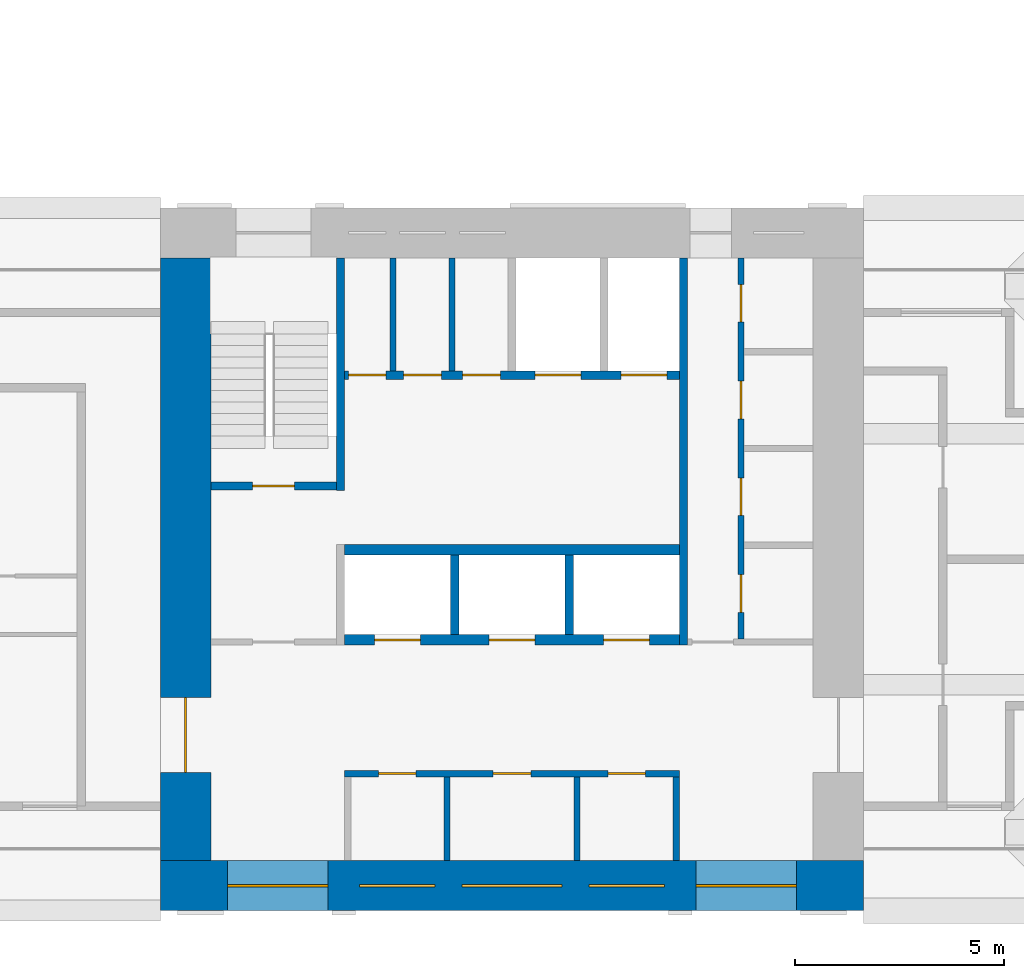
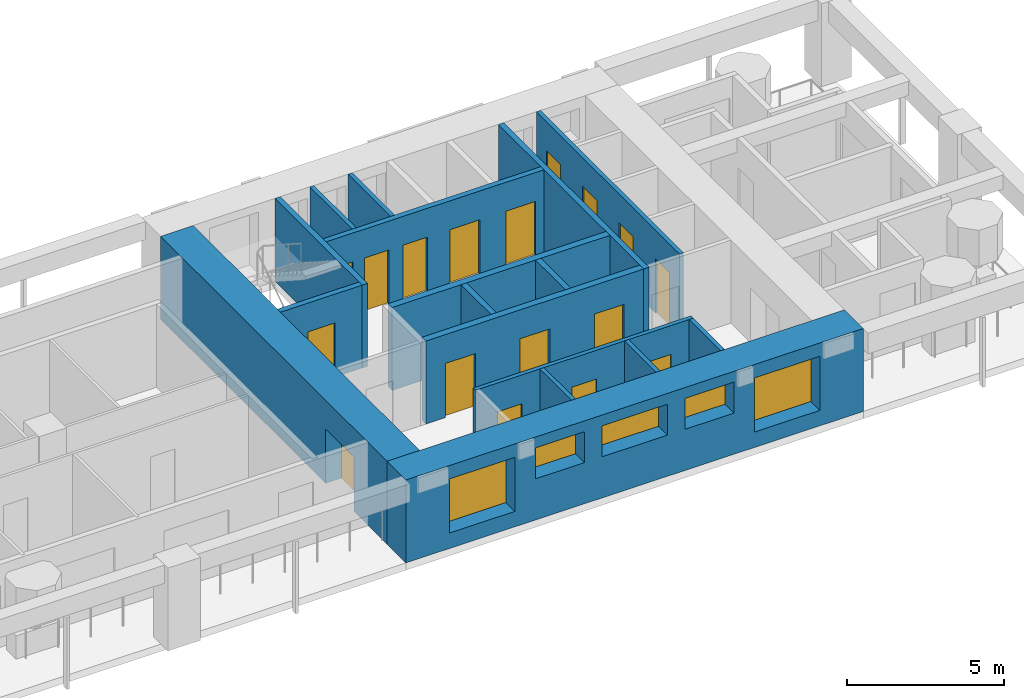
# One storey, part 4 of 13: 17 doors, 17 walls, 5 windows, 22 openings.
"""IFC4 building model written with IfcOpenShell, lengths in metres."""

import ifcopenshell
import ifcopenshell.guid

model = None  # the IFC model being written
_history = None  # IfcOwnerHistory: only IFC2X3 demands one
_inside = {}  # id of a spatial element -> (the spatial element, [elements in it])
_under = {}  # id of a project, library or spatial element -> (it, [spatial elements below it])
_declared = {}  # id of a project -> (the project, [libraries it declares])
_typed = {}  # id of a type object -> (the type object, [elements of that type])
_made_of = {}  # id of a material, layer set ... -> (it, [elements and type objects made of it])


def new_model(schema):
    """Start an empty IFC model of exactly this schema.

    Asked for "IFC4X3", IfcOpenShell would pick the latest addendum, in which some entities
    have other attributes; the version numbers below select the first issue.
    IFC2X3 requires an IfcOwnerHistory on every rooted entity: one is made here for all.
    """
    global model, _history
    if schema == "IFC4X3":
        model = ifcopenshell.file(schema_version=(4, 3, 0, 0))
    else:
        model = ifcopenshell.file(schema=schema)
    _inside.clear()
    _under.clear()
    _declared.clear()
    _typed.clear()
    _made_of.clear()
    _history = None
    if model.schema == "IFC2X3":
        org = make("IfcOrganization", Name="unknown")
        user = make(
            "IfcPersonAndOrganization",
            ThePerson=make("IfcPerson", FamilyName="unknown"),
            TheOrganization=org,
        )
        app = make(
            "IfcApplication",
            ApplicationDeveloper=org,
            Version="unknown",
            ApplicationFullName="unknown",
            ApplicationIdentifier="unknown",
        )
        _history = make(
            "IfcOwnerHistory",
            OwningUser=user,
            OwningApplication=app,
            ChangeAction="ADDED",
            CreationDate=0,
        )
    return model


def make(cls, **values):
    """One entity of the class cls with the attributes given. An attribute that is None is left unset."""
    return model.create_entity(
        cls, **{name: value for name, value in values.items() if value is not None}
    )


def rooted(cls, **values):
    """An entity with a GlobalId (a new one), such as an element, a storey or a relation."""
    return make(cls, GlobalId=ifcopenshell.guid.new(), OwnerHistory=_history, **values)


def si_unit(unit_type, name, prefix=None):
    """IfcSIUnit, for example si_unit("LENGTHUNIT", "METRE", prefix="MILLI")."""
    return make("IfcSIUnit", UnitType=unit_type, Prefix=prefix, Name=name)


def assignment(units):
    """IfcUnitAssignment: the units of a project."""
    return None if units is None else make("IfcUnitAssignment", Units=units)


def point(xyz):
    """IfcCartesianPoint."""
    return None if xyz is None else make("IfcCartesianPoint", Coordinates=xyz)


def direction(xyz):
    """IfcDirection."""
    return None if xyz is None else make("IfcDirection", DirectionRatios=xyz)


def frame(location, z_axis=None, x_axis=None):
    """IfcAxis2Placement3D, a coordinate frame: its origin and axes. An axis left out is left unset."""
    return make(
        "IfcAxis2Placement3D",
        Location=point(location),
        Axis=direction(z_axis),
        RefDirection=direction(x_axis),
    )


def frame_2d(location, x_axis=None):
    """IfcAxis2Placement2D, a coordinate frame in the plane: its origin and x axis."""
    return make(
        "IfcAxis2Placement2D", Location=point(location), RefDirection=direction(x_axis)
    )


def origin():
    """The frame at (0, 0, 0) with its axes left unset."""
    return frame((0.0, 0.0, 0.0))


def place(relative_to, where):
    """IfcLocalPlacement: puts the frame where relative to a parent placement (None: the world)."""
    return make(
        "IfcLocalPlacement", PlacementRelTo=relative_to, RelativePlacement=where
    )


def context(
    kind, dimensions, precision=None, world=None, true_north=None, identifier=None
):
    """IfcGeometricRepresentationContext, for example the 3D "Model" context."""
    return make(
        "IfcGeometricRepresentationContext",
        ContextIdentifier=identifier,
        ContextType=kind,
        CoordinateSpaceDimension=dimensions,
        Precision=precision,
        WorldCoordinateSystem=world,
        TrueNorth=true_north,
    )


def subcontext(parent, identifier, kind, view, scale=None):
    """IfcGeometricRepresentationSubContext, for example "Body" below "Model"."""
    return make(
        "IfcGeometricRepresentationSubContext",
        ContextIdentifier=identifier,
        ContextType=kind,
        ParentContext=parent,
        TargetScale=scale,
        TargetView=view,
    )


def project(units=None, contexts=None):
    """IfcProject with its units and contexts."""
    return rooted(
        "IfcProject",
        Name="project",
        RepresentationContexts=contexts,
        UnitsInContext=assignment(units),
    )


def spatial(cls, under=None, at=None, **own):
    """A site, building, storey or space (cls), placed at a placement, below another one or the project."""
    s = rooted(cls, ObjectPlacement=at, **own)
    if under is not None:
        _under.setdefault(under.id(), (under, []))[1].append(s)
    return s


def profile(cls, at=None, kind="AREA", **sizes):
    """A parametric profile (cls). Its sizes go by their IFC names, for example OverallWidth=200.0."""
    return make(cls, ProfileType=kind, Position=at, **sizes)


def rectangle(**sizes):
    """IfcRectangleProfileDef."""
    return profile("IfcRectangleProfileDef", **sizes)


def extrude(swept, where, along, depth):
    """IfcExtrudedAreaSolid: the profile swept, set in the frame where, extruded along a direction by depth."""
    return make(
        "IfcExtrudedAreaSolid",
        SweptArea=swept,
        Position=where,
        ExtrudedDirection=direction(along),
        Depth=depth,
    )


def shape(context_of_items, identifier, shape_type, items):
    """IfcShapeRepresentation: the items that make up one representation, for example the "Body"."""
    return make(
        "IfcShapeRepresentation",
        ContextOfItems=context_of_items,
        RepresentationIdentifier=identifier,
        RepresentationType=shape_type,
        Items=items,
    )


def material(Name=None, Category=None):
    """IfcMaterial."""
    return make("IfcMaterial", Name=Name, Category=Category)


def layer(
    of_material, thickness, ventilated=None, Name=None, Category=None, Priority=None
):
    """IfcMaterialLayer: one layer of a wall or slab, of a material (None: an air gap)."""
    return make(
        "IfcMaterialLayer",
        Material=of_material,
        LayerThickness=thickness,
        IsVentilated=ventilated,
        Name=Name,
        Category=Category,
        Priority=Priority,
    )


def layer_set(layers, Name=None):
    """IfcMaterialLayerSet."""
    return make("IfcMaterialLayerSet", MaterialLayers=layers, LayerSetName=Name)


def made_of(thing, what):
    """Note that an element or type object is made of a material, layer set ...; save() writes the relation."""
    if what is not None:
        _made_of.setdefault(what.id(), (what, []))[1].append(thing)
    return thing


def type_object(cls, material=None, **own):
    """A type object (cls), such as IfcWallType, which elements share."""
    return made_of(rooted(cls, **own), material)


def element(
    cls,
    number,
    at=None,
    inside=None,
    cuts=None,
    type_object=None,
    material=None,
    context=None,
    identifier="Body",
    shape_type=None,
    held_by="IfcProductDefinitionShape",
    body=None,
    shapes=None,
    **own,
):
    """One element of the class cls, such as IfcWall. Its Tag is "e" and its number.

    at: its placement. inside: the storey or other place that contains it. cuts: it is an
    opening in that element (IfcRelVoidsElement). A single representation is given by context,
    identifier, shape_type and body (its items); several are given by shapes. held_by: the class
    of the entity that holds the representations. save() writes the other relations.
    """
    e = rooted(cls, Tag="e%d" % number, ObjectPlacement=at, **own)
    if body is not None:
        shapes = [shape(context, identifier, shape_type, body)]
    if shapes is not None:
        e.Representation = make(held_by, Representations=shapes)
    if inside is not None:
        _inside.setdefault(inside.id(), (inside, []))[1].append(e)
    if cuts is not None:
        rooted(
            "IfcRelVoidsElement", RelatingBuildingElement=cuts, RelatedOpeningElement=e
        )
    if type_object is not None:
        _typed.setdefault(type_object.id(), (type_object, []))[1].append(e)
    return made_of(e, material)


def fill(opening, filler):
    """IfcRelFillsElement: the door or window that sits in an opening."""
    return rooted(
        "IfcRelFillsElement",
        RelatingOpeningElement=opening,
        RelatedBuildingElement=filler,
    )


def aggregate(whole, parts):
    """IfcRelAggregates: a whole, such as a stair, and the parts it consists of."""
    return rooted("IfcRelAggregates", RelatingObject=whole, RelatedObjects=parts)


def save(model, path):
    """Write the relations noted so far, then the file.

    IfcRelAggregates (storeys below a building ...), IfcRelContainedInSpatialStructure (elements
    in a storey), IfcRelDefinesByType, IfcRelAssociatesMaterial and IfcRelDeclares: one each for
    every whole, place, type object, material and project.
    """
    for whole, parts in _under.values():
        aggregate(whole, parts)
    for where, things in _inside.values():
        rooted(
            "IfcRelContainedInSpatialStructure",
            RelatedElements=things,
            RelatingStructure=where,
        )
    for kind, things in _typed.values():
        rooted("IfcRelDefinesByType", RelatedObjects=things, RelatingType=kind)
    for what, things in _made_of.values():
        rooted("IfcRelAssociatesMaterial", RelatedObjects=things, RelatingMaterial=what)
    for by, libraries in _declared.values():
        rooted("IfcRelDeclares", RelatingContext=by, RelatedDefinitions=libraries)
    model.write(path)


model = new_model("IFC4")

# Units and contexts
model_context = context("Model", 3, precision=1e-05, world=origin(), true_north=direction((0.0, 1.0)))
body_context = subcontext(model_context, "Body", "Model", "MODEL_VIEW")
ifc_project = project(units=[si_unit("LENGTHUNIT", "METRE"), si_unit("AREAUNIT", "SQUARE_METRE"), si_unit("VOLUMEUNIT", "CUBIC_METRE"), si_unit("PLANEANGLEUNIT", "RADIAN"), si_unit("MASSUNIT", "GRAM", prefix="KILO")], contexts=[model_context])

# Site, building, storey
site_placement = place(None, origin())
site = spatial("IfcSite", under=ifc_project, at=site_placement, CompositionType="ELEMENT")
building_placement = place(site_placement, origin())
building = spatial("IfcBuilding", under=site, at=building_placement, Name="Vermilion Gate Residences", CompositionType="ELEMENT")
storey_placement = place(building_placement, frame((0.0, 0.0, 158.199951171875)))
storey = spatial("IfcBuildingStorey", under=building, at=storey_placement, Name="L40", CompositionType="ELEMENT", Elevation=158.199951171875)

# Walls
ifc_material_1 = material(Name="Masonry blockwork", Category="masonry")
ifc_layer_1 = layer(ifc_material_1, 0.14990234375)
ifc_layer_set_1 = layer_set([ifc_layer_1], Name="BLOCKWORK PARTITION 150 EI 120")
wall_type_1 = type_object("IfcWallType", Name="BLOCKWORK PARTITION 150 EI 120", PredefinedType="PARTITIONING", material=ifc_layer_set_1)
for number, where, z_axis, x_axis, name in (
    (1, (54.324951171875, 9.60009765625, 0.0), (0.0, 0.0, 1.0), (0.0, 1.0, 0.0), "Core room partition A40-RW-E"),
    (2, (48.844970703125, 9.60009765625, 0.0), (0.0, 0.0, 1.0), (0.0, 1.0, 0.0), "Core room partition A40-SR-P0"),
    (3, (51.955078125, 9.60009765625, 0.0), (0.0, 0.0, 1.0), (0.0, 1.0, 0.0), "Core room partition A40-SR-P1"),
):
    element("IfcWall", number, at=place(storey_placement, frame(where, z_axis=z_axis, x_axis=x_axis)), inside=storey, type_object=wall_type_1, Name=name, PredefinedType="PARTITIONING", context=body_context, shape_type="SweptSolid", body=[
        extrude(rectangle(XDim=2.0, YDim=0.14990234375, at=frame_2d((1.0, 0.0))), origin(), (0.0, 0.0, 1.0), 3.219970703125),
    ])

# Wall, openings, doors
wall_1_placement = place(storey_placement, frame((46.39990234375, 11.675048828125, 0.0), z_axis=(0.0, 0.0, 1.0), x_axis=(1.0, 0.0, 0.0)))
wall_1 = element("IfcWall", 4, at=wall_1_placement, inside=storey, type_object=wall_type_1, Name="Core room partition A40-LR-F", PredefinedType="PARTITIONING", context=body_context, shape_type="SweptSolid", body=[
    extrude(rectangle(XDim=8.0, YDim=0.14990234375, at=frame_2d((4.0, 0.0))), origin(), (0.0, 0.0, 1.0), 3.219970703125),
])
opening_1_placement = place(wall_1_placement, frame((0.81005859375, 0.0, 0.0)))
opening_1 = element("IfcOpeningElement", 5, at=opening_1_placement, cuts=wall_1, Name="Opening DK40003", PredefinedType="OPENING", context=body_context, shape_type="SweptSolid", body=[
    extrude(rectangle(XDim=0.89990234375, YDim=2.10009765625, at=frame_2d((0.449951171875, 1.050048828125))), frame((0.0, 0.0849609375, 0.0), z_axis=(0.0, -1.0, 0.0), x_axis=(1.0, 0.0, 0.0)), (0.0, 0.0, 1.0), 0.169921875),
])
opening_2_placement = place(wall_1_placement, frame((3.550048828125, 0.0, 0.0)))
opening_2 = element("IfcOpeningElement", 6, at=opening_2_placement, cuts=wall_1, Name="Opening DK40004", PredefinedType="OPENING", context=body_context, shape_type="SweptSolid", body=[
    extrude(rectangle(XDim=0.89990234375, YDim=2.10009765625, at=frame_2d((0.449951171875, 1.050048828125))), frame((0.0, 0.0849609375, 0.0), z_axis=(0.0, -1.0, 0.0), x_axis=(1.0, 0.0, 0.0)), (0.0, 0.0, 1.0), 0.169921875),
])
opening_3_placement = place(wall_1_placement, frame((6.2900390625, 0.0, 0.0)))
opening_3 = element("IfcOpeningElement", 7, at=opening_3_placement, cuts=wall_1, Name="Opening DK40005", PredefinedType="OPENING", context=body_context, shape_type="SweptSolid", body=[
    extrude(rectangle(XDim=0.89990234375, YDim=2.10009765625, at=frame_2d((0.449951171875, 1.050048828125))), frame((0.0, 0.0849609375, 0.0), z_axis=(0.0, -1.0, 0.0), x_axis=(1.0, 0.0, 0.0)), (0.0, 0.0, 1.0), 0.169921875),
])
ifc_material_2 = material(Name="Steel", Category="steel")
door_type_1 = type_object("IfcDoorType", Name="SERVICE ROOM DOOR FD60 900 X 2100", OperationType="SINGLE_SWING_LEFT", PredefinedType="DOOR", material=ifc_material_2)
door_1_placement = place(opening_1_placement, frame((0.89990234375, 0.0, 0.0), z_axis=(0.0, 0.0, 1.0), x_axis=(-1.0, 0.0, 0.0)))
door_1 = element("IfcDoor", 8, at=door_1_placement, inside=storey, type_object=door_type_1, Name="Refuse room A40", OperationType="SINGLE_SWING_RIGHT", OverallHeight=2.10009765625, OverallWidth=0.89990234375, PredefinedType="DOOR", context=body_context, shape_type="SweptSolid", body=[
    extrude(rectangle(XDim=0.89990234375, YDim=2.10009765625, at=frame_2d((0.449951171875, 1.050048828125))), frame((0.0, 0.02490234375, 0.0), z_axis=(0.0, -1.0, 0.0), x_axis=(1.0, 0.0, 0.0)), (0.0, 0.0, 1.0), 0.050048828125),
])
fill(opening_1, door_1)
door_2_placement = place(opening_2_placement, frame((0.89990234375, 0.0, 0.0), z_axis=(0.0, 0.0, 1.0), x_axis=(-1.0, 0.0, 0.0)))
door_2 = element("IfcDoor", 9, at=door_2_placement, inside=storey, type_object=door_type_1, Name="Parcel room A40", OperationType="SINGLE_SWING_RIGHT", OverallHeight=2.10009765625, OverallWidth=0.89990234375, PredefinedType="DOOR", context=body_context, shape_type="SweptSolid", body=[
    extrude(rectangle(XDim=0.89990234375, YDim=2.10009765625, at=frame_2d((0.449951171875, 1.050048828125))), frame((0.0, 0.02490234375, 0.0), z_axis=(0.0, -1.0, 0.0), x_axis=(1.0, 0.0, 0.0)), (0.0, 0.0, 1.0), 0.050048828125),
])
fill(opening_2, door_2)
door_3_placement = place(opening_3_placement, frame((0.89990234375, 0.0, 0.0), z_axis=(0.0, 0.0, 1.0), x_axis=(-1.0, 0.0, 0.0)))
door_3 = element("IfcDoor", 10, at=door_3_placement, inside=storey, type_object=door_type_1, Name="Housekeeping store A40", OperationType="SINGLE_SWING_RIGHT", OverallHeight=2.10009765625, OverallWidth=0.89990234375, PredefinedType="DOOR", context=body_context, shape_type="SweptSolid", body=[
    extrude(rectangle(XDim=0.89990234375, YDim=2.10009765625, at=frame_2d((0.449951171875, 1.050048828125))), frame((0.0, 0.02490234375, 0.0), z_axis=(0.0, -1.0, 0.0), x_axis=(1.0, 0.0, 0.0)), (0.0, 0.0, 1.0), 0.050048828125),
])
fill(opening_3, door_3)

# Walls
for number, where, z_axis, x_axis, name in (
    (11, (47.554931640625, 21.300048828125, 0.0), (0.0, 0.0, 1.0), (0.0, 1.0, 0.0), "Core room partition A40-NR-P0"),
    (12, (48.965087890625, 21.300048828125, 0.0), (0.0, 0.0, 1.0), (0.0, 1.0, 0.0), "Core room partition A40-NR-P1"),
):
    element("IfcWall", number, at=place(storey_placement, frame(where, z_axis=z_axis, x_axis=x_axis)), inside=storey, type_object=wall_type_1, Name=name, PredefinedType="PARTITIONING", context=body_context, shape_type="SweptSolid", body=[
        extrude(rectangle(XDim=2.699951171875, YDim=0.14990234375, at=frame_2d((1.35009765625, 0.0))), origin(), (0.0, 0.0, 1.0), 3.219970703125),
    ])

# Wall, openings, doors
wall_2_placement = place(storey_placement, frame((55.875, 14.89990234375, 0.0), z_axis=(0.0, 0.0, 1.0), x_axis=(0.0, 1.0, 0.0)))
wall_2 = element("IfcWall", 13, at=wall_2_placement, inside=storey, type_object=wall_type_1, Name="Core room partition A40-ES-W", PredefinedType="PARTITIONING", context=body_context, shape_type="SweptSolid", body=[
    extrude(rectangle(XDim=9.10009765625, YDim=0.14990234375, at=frame_2d((4.550048828125, 0.0))), origin(), (0.0, 0.0, 1.0), 3.219970703125),
])
opening_4_placement = place(wall_2_placement, frame((0.63134765625, 0.0, 0.0)))
opening_4 = element("IfcOpeningElement", 14, at=opening_4_placement, cuts=wall_2, Name="Opening DK40017", PredefinedType="OPENING", context=body_context, shape_type="SweptSolid", body=[
    extrude(rectangle(XDim=0.89990234375, YDim=2.10009765625, at=frame_2d((0.449951171875, 1.050048828125))), frame((0.0, 0.0849609375, 0.0), z_axis=(0.0, -1.0, 0.0), x_axis=(1.0, 0.0, 0.0)), (0.0, 0.0, 1.0), 0.169921875),
])
opening_5_placement = place(wall_2_placement, frame((2.94384765625, 0.0, 0.0)))
opening_5 = element("IfcOpeningElement", 15, at=opening_5_placement, cuts=wall_2, Name="Opening DK40018", PredefinedType="OPENING", context=body_context, shape_type="SweptSolid", body=[
    extrude(rectangle(XDim=0.89990234375, YDim=2.10009765625, at=frame_2d((0.449951171875, 1.050048828125))), frame((0.0, 0.0849609375, 0.0), z_axis=(0.0, -1.0, 0.0), x_axis=(1.0, 0.0, 0.0)), (0.0, 0.0, 1.0), 0.169921875),
])
opening_6_placement = place(wall_2_placement, frame((5.25634765625, 0.0, 0.0)))
opening_6 = element("IfcOpeningElement", 16, at=opening_6_placement, cuts=wall_2, Name="Opening DK40019", PredefinedType="OPENING", context=body_context, shape_type="SweptSolid", body=[
    extrude(rectangle(XDim=0.89990234375, YDim=2.10009765625, at=frame_2d((0.449951171875, 1.050048828125))), frame((0.0, 0.0849609375, 0.0), z_axis=(0.0, -1.0, 0.0), x_axis=(1.0, 0.0, 0.0)), (0.0, 0.0, 1.0), 0.169921875),
])
opening_7_placement = place(wall_2_placement, frame((7.56884765625, 0.0, 0.0)))
opening_7 = element("IfcOpeningElement", 17, at=opening_7_placement, cuts=wall_2, Name="Opening DK40020", PredefinedType="OPENING", context=body_context, shape_type="SweptSolid", body=[
    extrude(rectangle(XDim=0.89990234375, YDim=2.10009765625, at=frame_2d((0.449951171875, 1.050048828125))), frame((0.0, 0.0849609375, 0.0), z_axis=(0.0, -1.0, 0.0), x_axis=(1.0, 0.0, 0.0)), (0.0, 0.0, 1.0), 0.169921875),
])
door_4_placement = place(opening_4_placement, frame((0.89990234375, 0.0, 0.0), z_axis=(0.0, 0.0, 1.0), x_axis=(-1.0, 0.0, 0.0)))
door_4 = element("IfcDoor", 18, at=door_4_placement, inside=storey, type_object=door_type_1, Name="Parcel room A40", OperationType="SINGLE_SWING_RIGHT", OverallHeight=2.10009765625, OverallWidth=0.89990234375, PredefinedType="DOOR", context=body_context, shape_type="SweptSolid", body=[
    extrude(rectangle(XDim=0.89990234375, YDim=2.10009765625, at=frame_2d((0.449951171875, 1.050048828125))), frame((0.0, 0.02490234375, 0.0), z_axis=(0.0, -1.0, 0.0), x_axis=(1.0, 0.0, 0.0)), (0.0, 0.0, 1.0), 0.050048828125),
])
fill(opening_4, door_4)
door_5_placement = place(opening_5_placement, frame((0.89990234375, 0.0, 0.0), z_axis=(0.0, 0.0, 1.0), x_axis=(-1.0, 0.0, 0.0)))
door_5 = element("IfcDoor", 19, at=door_5_placement, inside=storey, type_object=door_type_1, Name="Cleaner's store A40", OperationType="SINGLE_SWING_RIGHT", OverallHeight=2.10009765625, OverallWidth=0.89990234375, PredefinedType="DOOR", context=body_context, shape_type="SweptSolid", body=[
    extrude(rectangle(XDim=0.89990234375, YDim=2.10009765625, at=frame_2d((0.449951171875, 1.050048828125))), frame((0.0, 0.02490234375, 0.0), z_axis=(0.0, -1.0, 0.0), x_axis=(1.0, 0.0, 0.0)), (0.0, 0.0, 1.0), 0.050048828125),
])
fill(opening_5, door_5)
door_6_placement = place(opening_6_placement, frame((0.89990234375, 0.0, 0.0), z_axis=(0.0, 0.0, 1.0), x_axis=(-1.0, 0.0, 0.0)))
door_6 = element("IfcDoor", 20, at=door_6_placement, inside=storey, type_object=door_type_1, Name="Electrical room A40", OperationType="SINGLE_SWING_RIGHT", OverallHeight=2.10009765625, OverallWidth=0.89990234375, PredefinedType="DOOR", context=body_context, shape_type="SweptSolid", body=[
    extrude(rectangle(XDim=0.89990234375, YDim=2.10009765625, at=frame_2d((0.449951171875, 1.050048828125))), frame((0.0, 0.02490234375, 0.0), z_axis=(0.0, -1.0, 0.0), x_axis=(1.0, 0.0, 0.0)), (0.0, 0.0, 1.0), 0.050048828125),
])
fill(opening_6, door_6)
door_7_placement = place(opening_7_placement, frame((0.89990234375, 0.0, 0.0), z_axis=(0.0, 0.0, 1.0), x_axis=(-1.0, 0.0, 0.0)))
door_7 = element("IfcDoor", 21, at=door_7_placement, inside=storey, type_object=door_type_1, Name="Storage room A40", OperationType="SINGLE_SWING_RIGHT", OverallHeight=2.10009765625, OverallWidth=0.89990234375, PredefinedType="DOOR", context=body_context, shape_type="SweptSolid", body=[
    extrude(rectangle(XDim=0.89990234375, YDim=2.10009765625, at=frame_2d((0.449951171875, 1.050048828125))), frame((0.0, 0.02490234375, 0.0), z_axis=(0.0, -1.0, 0.0), x_axis=(1.0, 0.0, 0.0)), (0.0, 0.0, 1.0), 0.050048828125),
])
fill(opening_7, door_7)

# Walls
ifc_material_3 = material(Name="Concrete C60", Category="concrete")
ifc_layer_2 = layer(ifc_material_3, 0.199951171875)
ifc_layer_set_2 = layer_set([ifc_layer_2], Name="RC CORE INTERNAL WALL 200 C60")
wall_type_2 = type_object("IfcWallType", Name="RC CORE INTERNAL WALL 200 C60", PredefinedType="SHEAR", material=ifc_layer_set_2)
for number, where, z_axis, x_axis, name in (
    (22, (49.033447265625, 15.0, 0.0), (0.0, 0.0, 1.0), (0.0, 1.0, 0.0), "Core internal wall A40-HR-D1"),
    (23, (51.7666015625, 15.0, 0.0), (0.0, 0.0, 1.0), (0.0, 1.0, 0.0), "Core internal wall A40-HR-D2"),
):
    element("IfcWall", number, at=place(storey_placement, frame(where, z_axis=z_axis, x_axis=x_axis)), inside=storey, type_object=wall_type_2, Name=name, PredefinedType="SHEAR", context=body_context, shape_type="SweptSolid", body=[
        extrude(rectangle(XDim=1.89990234375, YDim=0.199951171875, at=frame_2d((0.949951171875, 0.0))), origin(), (0.0, 0.0, 1.0), 3.219970703125),
    ])

# Wall, openings, doors
wall_3_placement = place(storey_placement, frame((46.39990234375, 21.199951171875, 0.0), z_axis=(0.0, 0.0, 1.0), x_axis=(1.0, 0.0, 0.0)))
wall_3 = element("IfcWall", 24, at=wall_3_placement, inside=storey, type_object=wall_type_2, Name="Core internal wall A40-FF-F", PredefinedType="SHEAR", context=body_context, shape_type="SweptSolid", body=[
    extrude(rectangle(XDim=8.0, YDim=0.199951171875, at=frame_2d((4.0, 0.0))), origin(), (0.0, 0.0, 1.0), 3.219970703125),
])
opening_8_placement = place(wall_3_placement, frame((0.090087890625, 0.0, 0.0)))
opening_8 = element("IfcOpeningElement", 25, at=opening_8_placement, cuts=wall_3, Name="Opening DK40009", PredefinedType="OPENING", context=body_context, shape_type="SweptSolid", body=[
    extrude(rectangle(XDim=0.89990234375, YDim=2.10009765625, at=frame_2d((0.449951171875, 1.050048828125))), frame((0.0, 0.10986328125, 0.0), z_axis=(0.0, -1.0, 0.0), x_axis=(1.0, 0.0, 0.0)), (0.0, 0.0, 1.0), 0.219970703125),
])
opening_9_placement = place(wall_3_placement, frame((1.409912109375, 0.0, 0.0)))
opening_9 = element("IfcOpeningElement", 26, at=opening_9_placement, cuts=wall_3, Name="Opening DK40010", PredefinedType="OPENING", context=body_context, shape_type="SweptSolid", body=[
    extrude(rectangle(XDim=0.89990234375, YDim=2.10009765625, at=frame_2d((0.449951171875, 1.050048828125))), frame((0.0, 0.10986328125, 0.0), z_axis=(0.0, -1.0, 0.0), x_axis=(1.0, 0.0, 0.0)), (0.0, 0.0, 1.0), 0.219970703125),
])
opening_10_placement = place(wall_3_placement, frame((2.820068359375, 0.0, 0.0)))
opening_10 = element("IfcOpeningElement", 27, at=opening_10_placement, cuts=wall_3, Name="Opening DK40011", PredefinedType="OPENING", context=body_context, shape_type="SweptSolid", body=[
    extrude(rectangle(XDim=0.89990234375, YDim=2.10009765625, at=frame_2d((0.449951171875, 1.050048828125))), frame((0.0, 0.10986328125, 0.0), z_axis=(0.0, -1.0, 0.0), x_axis=(1.0, 0.0, 0.0)), (0.0, 0.0, 1.0), 0.219970703125),
])
opening_11_placement = place(wall_3_placement, frame((4.550048828125, 0.0, 0.0)))
opening_11 = element("IfcOpeningElement", 28, at=opening_11_placement, cuts=wall_3, Name="Opening LD", PredefinedType="OPENING", context=body_context, shape_type="SweptSolid", body=[
    extrude(rectangle(XDim=1.10009765625, YDim=2.10009765625, at=frame_2d((0.550048828125, 1.050048828125))), frame((0.0, 0.10986328125, 0.0), z_axis=(0.0, -1.0, 0.0), x_axis=(1.0, 0.0, 0.0)), (0.0, 0.0, 1.0), 0.219970703125),
])
opening_12_placement = place(wall_3_placement, frame((6.60009765625, 0.0, 0.0)))
opening_12 = element("IfcOpeningElement", 29, at=opening_12_placement, cuts=wall_3, Name="Opening LD", PredefinedType="OPENING", context=body_context, shape_type="SweptSolid", body=[
    extrude(rectangle(XDim=1.10009765625, YDim=2.10009765625, at=frame_2d((0.550048828125, 1.050048828125))), frame((0.0, 0.10986328125, 0.0), z_axis=(0.0, -1.0, 0.0), x_axis=(1.0, 0.0, 0.0)), (0.0, 0.0, 1.0), 0.219970703125),
])
ifc_material_4 = material(Name="Stainless steel", Category="steel")
door_type_2 = type_object("IfcDoorType", Name="LIFT LANDING DOOR E60 1100 X 2100", OperationType="DOUBLE_DOOR_SLIDING", PredefinedType="DOOR", material=ifc_material_4)
door_8_placement = place(opening_11_placement, origin())
door_8 = element("IfcDoor", 30, at=door_8_placement, inside=storey, type_object=door_type_2, Name="Lift landing door LFA1", OperationType="DOUBLE_DOOR_SLIDING", OverallHeight=2.10009765625, OverallWidth=1.10009765625, PredefinedType="DOOR", context=body_context, shape_type="SweptSolid", body=[
    extrude(rectangle(XDim=1.10009765625, YDim=2.10009765625, at=frame_2d((0.550048828125, 1.050048828125))), frame((0.0, 0.02490234375, 0.0), z_axis=(0.0, -1.0, 0.0), x_axis=(1.0, 0.0, 0.0)), (0.0, 0.0, 1.0), 0.050048828125),
])
fill(opening_11, door_8)
door_9_placement = place(opening_12_placement, origin())
door_9 = element("IfcDoor", 31, at=door_9_placement, inside=storey, type_object=door_type_2, Name="Lift landing door LCA1", OperationType="DOUBLE_DOOR_SLIDING", OverallHeight=2.10009765625, OverallWidth=1.10009765625, PredefinedType="DOOR", context=body_context, shape_type="SweptSolid", body=[
    extrude(rectangle(XDim=1.10009765625, YDim=2.10009765625, at=frame_2d((0.550048828125, 1.050048828125))), frame((0.0, 0.02490234375, 0.0), z_axis=(0.0, -1.0, 0.0), x_axis=(1.0, 0.0, 0.0)), (0.0, 0.0, 1.0), 0.050048828125),
])
fill(opening_12, door_9)
door_10_placement = place(opening_8_placement, origin())
door_10 = element("IfcDoor", 32, at=door_10_placement, inside=storey, type_object=door_type_1, Name="Communications riser A40", OperationType="SINGLE_SWING_RIGHT", OverallHeight=2.10009765625, OverallWidth=0.89990234375, PredefinedType="DOOR", context=body_context, shape_type="SweptSolid", body=[
    extrude(rectangle(XDim=0.89990234375, YDim=2.10009765625, at=frame_2d((0.449951171875, 1.050048828125))), frame((0.0, 0.02490234375, 0.0), z_axis=(0.0, -1.0, 0.0), x_axis=(1.0, 0.0, 0.0)), (0.0, 0.0, 1.0), 0.050048828125),
])
fill(opening_8, door_10)
door_11_placement = place(opening_9_placement, origin())
door_11 = element("IfcDoor", 33, at=door_11_placement, inside=storey, type_object=door_type_1, Name="Refuse room A40", OperationType="SINGLE_SWING_LEFT", OverallHeight=2.10009765625, OverallWidth=0.89990234375, PredefinedType="DOOR", context=body_context, shape_type="SweptSolid", body=[
    extrude(rectangle(XDim=0.89990234375, YDim=2.10009765625, at=frame_2d((0.449951171875, 1.050048828125))), frame((0.0, 0.02490234375, 0.0), z_axis=(0.0, -1.0, 0.0), x_axis=(1.0, 0.0, 0.0)), (0.0, 0.0, 1.0), 0.050048828125),
])
fill(opening_9, door_11)
door_12_placement = place(opening_10_placement, origin())
door_12 = element("IfcDoor", 34, at=door_12_placement, inside=storey, type_object=door_type_1, Name="Parcel room A40", OperationType="SINGLE_SWING_LEFT", OverallHeight=2.10009765625, OverallWidth=0.89990234375, PredefinedType="DOOR", context=body_context, shape_type="SweptSolid", body=[
    extrude(rectangle(XDim=0.89990234375, YDim=2.10009765625, at=frame_2d((0.449951171875, 1.050048828125))), frame((0.0, 0.02490234375, 0.0), z_axis=(0.0, -1.0, 0.0), x_axis=(1.0, 0.0, 0.0)), (0.0, 0.0, 1.0), 0.050048828125),
])
fill(opening_10, door_12)

# Wall
wall_4_placement = place(storey_placement, frame((46.300048828125, 18.449951171875, 0.0), z_axis=(0.0, 0.0, 1.0), x_axis=(0.0, 1.0, 0.0)))
element("IfcWall", 35, at=wall_4_placement, inside=storey, type_object=wall_type_2, Name="Core internal wall A40-WDIV2", PredefinedType="SHEAR", context=body_context, shape_type="SweptSolid", body=[
    extrude(rectangle(XDim=5.550048828125, YDim=0.199951171875, at=frame_2d((2.77490234375, 0.0))), origin(), (0.0, 0.0, 1.0), 3.219970703125),
])

# Wall, opening, door
wall_5_placement = place(storey_placement, frame((43.199951171875, 18.550048828125, 0.0), z_axis=(0.0, 0.0, 1.0), x_axis=(1.0, 0.0, 0.0)))
wall_5 = element("IfcWall", 36, at=wall_5_placement, inside=storey, type_object=wall_type_2, Name="Core internal wall A40-STW-S", PredefinedType="SHEAR", context=body_context, shape_type="SweptSolid", body=[
    extrude(rectangle(XDim=3.0, YDim=0.199951171875, at=frame_2d((1.5, 0.0))), origin(), (0.0, 0.0, 1.0), 3.219970703125),
])
opening_13_placement = place(wall_5_placement, frame((1.0, 0.0, 0.0)))
opening_13 = element("IfcOpeningElement", 37, at=opening_13_placement, cuts=wall_5, Name="Opening DK40015", PredefinedType="OPENING", context=body_context, shape_type="SweptSolid", body=[
    extrude(rectangle(XDim=1.0, YDim=2.10009765625, at=frame_2d((0.5, 1.050048828125))), frame((0.0, 0.10986328125, 0.0), z_axis=(0.0, -1.0, 0.0), x_axis=(1.0, 0.0, 0.0)), (0.0, 0.0, 1.0), 0.219970703125),
])
ifc_material_5 = material(Name="Steel", Category="steel")
door_type_3 = type_object("IfcDoorType", Name="FIRE DOOR FD60 1000 X 2100", OperationType="SINGLE_SWING_LEFT", PredefinedType="DOOR", material=ifc_material_5)
door_13_placement = place(opening_13_placement, origin())
door_13 = element("IfcDoor", 38, at=door_13_placement, inside=storey, type_object=door_type_3, Name="Stair door A40", OperationType="SINGLE_SWING_LEFT", OverallHeight=2.10009765625, OverallWidth=1.0, PredefinedType="DOOR", context=body_context, shape_type="SweptSolid", body=[
    extrude(rectangle(XDim=1.0, YDim=2.10009765625, at=frame_2d((0.5, 1.050048828125))), frame((0.0, 0.02490234375, 0.0), z_axis=(0.0, -1.0, 0.0), x_axis=(1.0, 0.0, 0.0)), (0.0, 0.0, 1.0), 0.050048828125),
])
fill(opening_13, door_13)

# Wall
wall_6_placement = place(storey_placement, frame((54.5, 14.75, 0.0), z_axis=(0.0, 0.0, 1.0), x_axis=(0.0, 1.0, 0.0)))
element("IfcWall", 39, at=wall_6_placement, inside=storey, type_object=wall_type_2, Name="Core internal wall A40-EDIV", PredefinedType="SHEAR", context=body_context, shape_type="SweptSolid", body=[
    extrude(rectangle(XDim=9.25, YDim=0.199951171875, at=frame_2d((4.625, 0.0))), origin(), (0.0, 0.0, 1.0), 3.219970703125),
])

# Wall, opening, door
ifc_material_6 = material(Name="Concrete C60", Category="concrete")
ifc_layer_3 = layer(ifc_material_6, 1.199951171875)
ifc_layer_set_3 = layer_set([ifc_layer_3], Name="RC CORE WALL 1200 C60")
wall_type_3 = type_object("IfcWallType", Name="RC CORE WALL 1200 C60", PredefinedType="SHEAR", material=ifc_layer_set_3)
wall_7_placement = place(storey_placement, frame((42.60009765625, 9.60009765625, 0.0), z_axis=(0.0, 0.0, 1.0), x_axis=(0.0, 1.0, 0.0)))
wall_7 = element("IfcWall", 40, at=wall_7_placement, inside=storey, type_object=wall_type_3, Name="Core wall A40-OUT-FR", PredefinedType="SHEAR", context=body_context, shape_type="SweptSolid", body=[
    extrude(rectangle(XDim=14.39990234375, YDim=1.199951171875, at=frame_2d((7.199951171875, 0.0))), origin(), (0.0, 0.0, 1.0), 3.219970703125),
])
opening_14_placement = place(wall_7_placement, frame((2.10009765625, 0.0, 0.0)))
opening_14 = element("IfcOpeningElement", 41, at=opening_14_placement, cuts=wall_7, Name="Opening DK40001", PredefinedType="OPENING", context=body_context, shape_type="SweptSolid", body=[
    extrude(rectangle(XDim=1.800048828125, YDim=2.10009765625, at=frame_2d((0.89990234375, 1.050048828125))), frame((0.0, 0.60986328125, 0.0), z_axis=(0.0, -1.0, 0.0), x_axis=(1.0, 0.0, 0.0)), (0.0, 0.0, 1.0), 1.219970703125),
])
ifc_material_7 = material(Name="Steel", Category="steel")
door_type_4 = type_object("IfcDoorType", Name="CORE LOBBY DOOR FD60 1800 X 2100", OperationType="DOUBLE_DOOR_SINGLE_SWING", PredefinedType="DOOR", material=ifc_material_7)
door_14_placement = place(opening_14_placement, frame((1.800048828125, 0.0, 0.0), z_axis=(0.0, 0.0, 1.0), x_axis=(-1.0, 0.0, 0.0)))
door_14 = element("IfcDoor", 42, at=door_14_placement, inside=storey, type_object=door_type_4, Name="Core lobby door A40", OperationType="DOUBLE_DOOR_SINGLE_SWING", OverallHeight=2.10009765625, OverallWidth=1.800048828125, PredefinedType="DOOR", context=body_context, shape_type="SweptSolid", body=[
    extrude(rectangle(XDim=1.800048828125, YDim=2.10009765625, at=frame_2d((0.89990234375, 1.050048828125))), frame((0.0, 0.02490234375, 0.0), z_axis=(0.0, -1.0, 0.0), x_axis=(1.0, 0.0, 0.0)), (0.0, 0.0, 1.0), 0.050048828125),
])
fill(opening_14, door_14)

# Wall, openings, windows
ifc_material_8 = material(Name="Concrete C60 red-oxide pigmented", Category="concrete")
ifc_layer_4 = layer(ifc_material_8, 1.199951171875)
ifc_layer_set_4 = layer_set([ifc_layer_4], Name="RC CORE WALL 1200 C60 RED OXIDE")
wall_type_4 = type_object("IfcWallType", Name="RC CORE WALL 1200 C60 RED OXIDE", PredefinedType="SHEAR", material=ifc_layer_set_4)
wall_8_placement = place(storey_placement, frame((42.0, 9.0, 0.0), z_axis=(0.0, 0.0, 1.0), x_axis=(1.0, 0.0, 0.0)))
wall_8 = element("IfcWall", 43, at=wall_8_placement, inside=storey, type_object=wall_type_4, Name="Core wall A40-OUT-B0", PredefinedType="SHEAR", context=body_context, shape_type="SweptSolid", body=[
    extrude(rectangle(XDim=16.800048828125, YDim=1.199951171875, at=frame_2d((8.39990234375, 0.0))), origin(), (0.0, 0.0, 1.0), 3.219970703125),
])
opening_15_placement = place(wall_8_placement, frame((1.60009765625, 0.0, 0.60009765625)))
opening_15 = element("IfcOpeningElement", 44, at=opening_15_placement, cuts=wall_8, Name="Opening WKA4001", PredefinedType="OPENING", context=body_context, shape_type="SweptSolid", body=[
    extrude(rectangle(XDim=2.39990234375, YDim=2.10009765625, at=frame_2d((1.199951171875, 1.050048828125))), frame((0.0, 0.60986328125, 0.0), z_axis=(0.0, -1.0, 0.0), x_axis=(1.0, 0.0, 0.0)), (0.0, 0.0, 1.0), 1.219970703125),
])
opening_16_placement = place(wall_8_placement, frame((4.760009765625, 0.0, 1.60009765625)))
opening_16 = element("IfcOpeningElement", 45, at=opening_16_placement, cuts=wall_8, Name="Opening WKA4002", PredefinedType="OPENING", context=body_context, shape_type="SweptSolid", body=[
    extrude(rectangle(XDim=1.800048828125, YDim=1.199951171875, at=frame_2d((0.89990234375, 0.60009765625))), frame((0.0, 0.60986328125, 0.0), z_axis=(0.0, -1.0, 0.0), x_axis=(1.0, 0.0, 0.0)), (0.0, 0.0, 1.0), 1.219970703125),
])
opening_17_placement = place(wall_8_placement, frame((7.199951171875, 0.0, 1.60009765625)))
opening_17 = element("IfcOpeningElement", 46, at=opening_17_placement, cuts=wall_8, Name="Opening WKA4003", PredefinedType="OPENING", context=body_context, shape_type="SweptSolid", body=[
    extrude(rectangle(XDim=2.39990234375, YDim=1.199951171875, at=frame_2d((1.199951171875, 0.60009765625))), frame((0.0, 0.60986328125, 0.0), z_axis=(0.0, -1.0, 0.0), x_axis=(1.0, 0.0, 0.0)), (0.0, 0.0, 1.0), 1.219970703125),
])
opening_18_placement = place(wall_8_placement, frame((10.239990234375, 0.0, 1.60009765625)))
opening_18 = element("IfcOpeningElement", 47, at=opening_18_placement, cuts=wall_8, Name="Opening WKA4004", PredefinedType="OPENING", context=body_context, shape_type="SweptSolid", body=[
    extrude(rectangle(XDim=1.800048828125, YDim=1.199951171875, at=frame_2d((0.89990234375, 0.60009765625))), frame((0.0, 0.60986328125, 0.0), z_axis=(0.0, -1.0, 0.0), x_axis=(1.0, 0.0, 0.0)), (0.0, 0.0, 1.0), 1.219970703125),
])
opening_19_placement = place(wall_8_placement, frame((12.800048828125, 0.0, 0.60009765625)))
opening_19 = element("IfcOpeningElement", 48, at=opening_19_placement, cuts=wall_8, Name="Opening WKA4005", PredefinedType="OPENING", context=body_context, shape_type="SweptSolid", body=[
    extrude(rectangle(XDim=2.39990234375, YDim=2.10009765625, at=frame_2d((1.199951171875, 1.050048828125))), frame((0.0, 0.60986328125, 0.0), z_axis=(0.0, -1.0, 0.0), x_axis=(1.0, 0.0, 0.0)), (0.0, 0.0, 1.0), 1.219970703125),
])
ifc_material_9 = material(Name="Aluminium and clear glass", Category="aluminium")
window_type_1 = type_object("IfcWindowType", Name="CORE LOBBY WINDOW 2400 X 2100", PartitioningType="SINGLE_PANEL", PredefinedType="WINDOW", material=ifc_material_9)
window_1_placement = place(opening_15_placement, origin())
window_1 = element("IfcWindow", 49, at=window_1_placement, inside=storey, type_object=window_type_1, Name="Core lobby window", OverallHeight=2.10009765625, OverallWidth=2.39990234375, PartitioningType="SINGLE_PANEL", PredefinedType="WINDOW", context=body_context, shape_type="SweptSolid", body=[
    extrude(rectangle(XDim=2.39990234375, YDim=2.10009765625, at=frame_2d((1.199951171875, 1.050048828125))), frame((0.0, 0.030029296875, 0.0), z_axis=(0.0, -1.0, 0.0), x_axis=(1.0, 0.0, 0.0)), (0.0, 0.0, 1.0), 0.06005859375),
])
fill(opening_15, window_1)
window_2_placement = place(opening_19_placement, origin())
window_2 = element("IfcWindow", 50, at=window_2_placement, inside=storey, type_object=window_type_1, Name="Core lobby window", OverallHeight=2.10009765625, OverallWidth=2.39990234375, PartitioningType="SINGLE_PANEL", PredefinedType="WINDOW", context=body_context, shape_type="SweptSolid", body=[
    extrude(rectangle(XDim=2.39990234375, YDim=2.10009765625, at=frame_2d((1.199951171875, 1.050048828125))), frame((0.0, 0.030029296875, 0.0), z_axis=(0.0, -1.0, 0.0), x_axis=(1.0, 0.0, 0.0)), (0.0, 0.0, 1.0), 0.06005859375),
])
fill(opening_19, window_2)
ifc_material_10 = material(Name="Aluminium frame with louvre blades", Category="aluminium")
window_type_2 = type_object("IfcWindowType", Name="CORE LOUVRE 1800 X 1200", PartitioningType="SINGLE_PANEL", PredefinedType="WINDOW", material=ifc_material_10)
window_3_placement = place(opening_16_placement, origin())
window_3 = element("IfcWindow", 51, at=window_3_placement, inside=storey, type_object=window_type_2, Name="Core louvre", OverallHeight=1.199951171875, OverallWidth=1.800048828125, PartitioningType="SINGLE_PANEL", PredefinedType="WINDOW", context=body_context, shape_type="SweptSolid", body=[
    extrude(rectangle(XDim=1.800048828125, YDim=1.199951171875, at=frame_2d((0.89990234375, 0.60009765625))), frame((0.0, 0.030029296875, 0.0), z_axis=(0.0, -1.0, 0.0), x_axis=(1.0, 0.0, 0.0)), (0.0, 0.0, 1.0), 0.06005859375),
])
fill(opening_16, window_3)
window_4_placement = place(opening_18_placement, origin())
window_4 = element("IfcWindow", 52, at=window_4_placement, inside=storey, type_object=window_type_2, Name="Core louvre", OverallHeight=1.199951171875, OverallWidth=1.800048828125, PartitioningType="SINGLE_PANEL", PredefinedType="WINDOW", context=body_context, shape_type="SweptSolid", body=[
    extrude(rectangle(XDim=1.800048828125, YDim=1.199951171875, at=frame_2d((0.89990234375, 0.60009765625))), frame((0.0, 0.030029296875, 0.0), z_axis=(0.0, -1.0, 0.0), x_axis=(1.0, 0.0, 0.0)), (0.0, 0.0, 1.0), 0.06005859375),
])
fill(opening_18, window_4)
ifc_material_11 = material(Name="Aluminium frame with louvre blades", Category="aluminium")
window_type_3 = type_object("IfcWindowType", Name="CORE LOUVRE 2400 X 1200", PartitioningType="SINGLE_PANEL", PredefinedType="WINDOW", material=ifc_material_11)
window_5_placement = place(opening_17_placement, origin())
window_5 = element("IfcWindow", 53, at=window_5_placement, inside=storey, type_object=window_type_3, Name="Core louvre", OverallHeight=1.199951171875, OverallWidth=2.39990234375, PartitioningType="SINGLE_PANEL", PredefinedType="WINDOW", context=body_context, shape_type="SweptSolid", body=[
    extrude(rectangle(XDim=2.39990234375, YDim=1.199951171875, at=frame_2d((1.199951171875, 0.60009765625))), frame((0.0, 0.030029296875, 0.0), z_axis=(0.0, -1.0, 0.0), x_axis=(1.0, 0.0, 0.0)), (0.0, 0.0, 1.0), 0.06005859375),
])
fill(opening_17, window_5)

# Wall, openings, doors
ifc_material_12 = material(Name="Concrete C60", Category="concrete")
ifc_layer_5 = layer(ifc_material_12, 0.25)
ifc_layer_set_5 = layer_set([ifc_layer_5], Name="RC LIFT SHAFT WALL 250 C60")
wall_type_5 = type_object("IfcWallType", Name="RC LIFT SHAFT WALL 250 C60", PredefinedType="SHEAR", material=ifc_layer_set_5)
wall_9_placement = place(storey_placement, frame((46.39990234375, 14.875, 0.0), z_axis=(0.0, 0.0, 1.0), x_axis=(1.0, 0.0, 0.0)))
wall_9 = element("IfcWall", 54, at=wall_9_placement, inside=storey, type_object=wall_type_5, Name="Lift shaft wall A40-HR-F", PredefinedType="SHEAR", context=body_context, shape_type="SweptSolid", body=[
    extrude(rectangle(XDim=8.0, YDim=0.25, at=frame_2d((4.0, 0.0))), origin(), (0.0, 0.0, 1.0), 3.219970703125),
])
opening_20_placement = place(wall_9_placement, frame((0.716552734375, 0.0, 0.0)))
opening_20 = element("IfcOpeningElement", 55, at=opening_20_placement, cuts=wall_9, Name="Opening LD", PredefinedType="OPENING", context=body_context, shape_type="SweptSolid", body=[
    extrude(rectangle(XDim=1.10009765625, YDim=2.10009765625, at=frame_2d((0.550048828125, 1.050048828125))), frame((0.0, 0.135009765625, 0.0), z_axis=(0.0, -1.0, 0.0), x_axis=(1.0, 0.0, 0.0)), (0.0, 0.0, 1.0), 0.27001953125),
])
opening_21_placement = place(wall_9_placement, frame((3.449951171875, 0.0, 0.0)))
opening_21 = element("IfcOpeningElement", 56, at=opening_21_placement, cuts=wall_9, Name="Opening LD", PredefinedType="OPENING", context=body_context, shape_type="SweptSolid", body=[
    extrude(rectangle(XDim=1.10009765625, YDim=2.10009765625, at=frame_2d((0.550048828125, 1.050048828125))), frame((0.0, 0.135009765625, 0.0), z_axis=(0.0, -1.0, 0.0), x_axis=(1.0, 0.0, 0.0)), (0.0, 0.0, 1.0), 0.27001953125),
])
opening_22_placement = place(wall_9_placement, frame((6.183349609375, 0.0, 0.0)))
opening_22 = element("IfcOpeningElement", 57, at=opening_22_placement, cuts=wall_9, Name="Opening LD", PredefinedType="OPENING", context=body_context, shape_type="SweptSolid", body=[
    extrude(rectangle(XDim=1.10009765625, YDim=2.10009765625, at=frame_2d((0.550048828125, 1.050048828125))), frame((0.0, 0.135009765625, 0.0), z_axis=(0.0, -1.0, 0.0), x_axis=(1.0, 0.0, 0.0)), (0.0, 0.0, 1.0), 0.27001953125),
])
door_15_placement = place(opening_20_placement, origin())
door_15 = element("IfcDoor", 58, at=door_15_placement, inside=storey, type_object=door_type_2, Name="Lift landing door HRA1", OperationType="DOUBLE_DOOR_SLIDING", OverallHeight=2.10009765625, OverallWidth=1.10009765625, PredefinedType="DOOR", context=body_context, shape_type="SweptSolid", body=[
    extrude(rectangle(XDim=1.10009765625, YDim=2.10009765625, at=frame_2d((0.550048828125, 1.050048828125))), frame((0.0, 0.02490234375, 0.0), z_axis=(0.0, -1.0, 0.0), x_axis=(1.0, 0.0, 0.0)), (0.0, 0.0, 1.0), 0.050048828125),
])
fill(opening_20, door_15)
door_16_placement = place(opening_21_placement, origin())
door_16 = element("IfcDoor", 59, at=door_16_placement, inside=storey, type_object=door_type_2, Name="Lift landing door HRA2", OperationType="DOUBLE_DOOR_SLIDING", OverallHeight=2.10009765625, OverallWidth=1.10009765625, PredefinedType="DOOR", context=body_context, shape_type="SweptSolid", body=[
    extrude(rectangle(XDim=1.10009765625, YDim=2.10009765625, at=frame_2d((0.550048828125, 1.050048828125))), frame((0.0, 0.02490234375, 0.0), z_axis=(0.0, -1.0, 0.0), x_axis=(1.0, 0.0, 0.0)), (0.0, 0.0, 1.0), 0.050048828125),
])
fill(opening_21, door_16)
door_17_placement = place(opening_22_placement, origin())
door_17 = element("IfcDoor", 60, at=door_17_placement, inside=storey, type_object=door_type_2, Name="Lift landing door HRA3", OperationType="DOUBLE_DOOR_SLIDING", OverallHeight=2.10009765625, OverallWidth=1.10009765625, PredefinedType="DOOR", context=body_context, shape_type="SweptSolid", body=[
    extrude(rectangle(XDim=1.10009765625, YDim=2.10009765625, at=frame_2d((0.550048828125, 1.050048828125))), frame((0.0, 0.02490234375, 0.0), z_axis=(0.0, -1.0, 0.0), x_axis=(1.0, 0.0, 0.0)), (0.0, 0.0, 1.0), 0.050048828125),
])
fill(opening_22, door_17)

# Wall
wall_10_placement = place(storey_placement, frame((46.39990234375, 17.02490234375, 0.0), z_axis=(0.0, 0.0, 1.0), x_axis=(1.0, 0.0, 0.0)))
element("IfcWall", 61, at=wall_10_placement, inside=storey, type_object=wall_type_5, Name="Lift shaft wall A40-HR-B", PredefinedType="SHEAR", context=body_context, shape_type="SweptSolid", body=[
    extrude(rectangle(XDim=8.0, YDim=0.25, at=frame_2d((4.0, 0.0))), origin(), (0.0, 0.0, 1.0), 3.219970703125),
])

save(model, "model.ifc")
